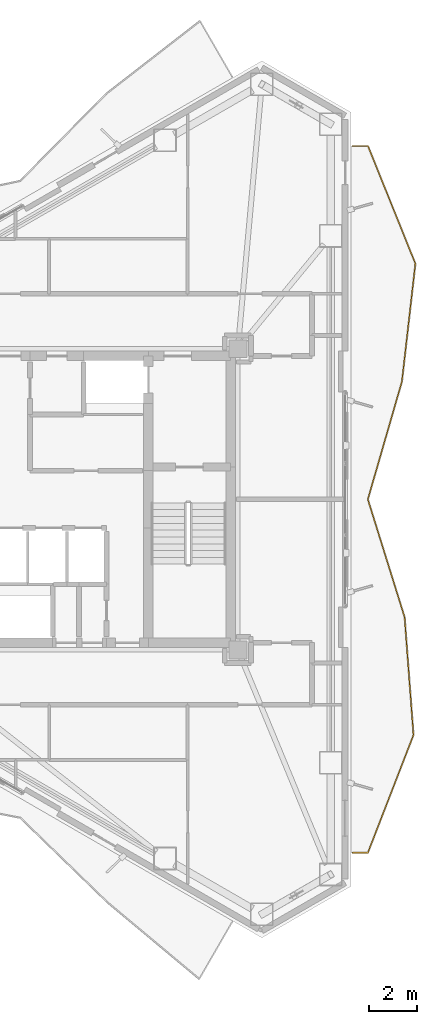
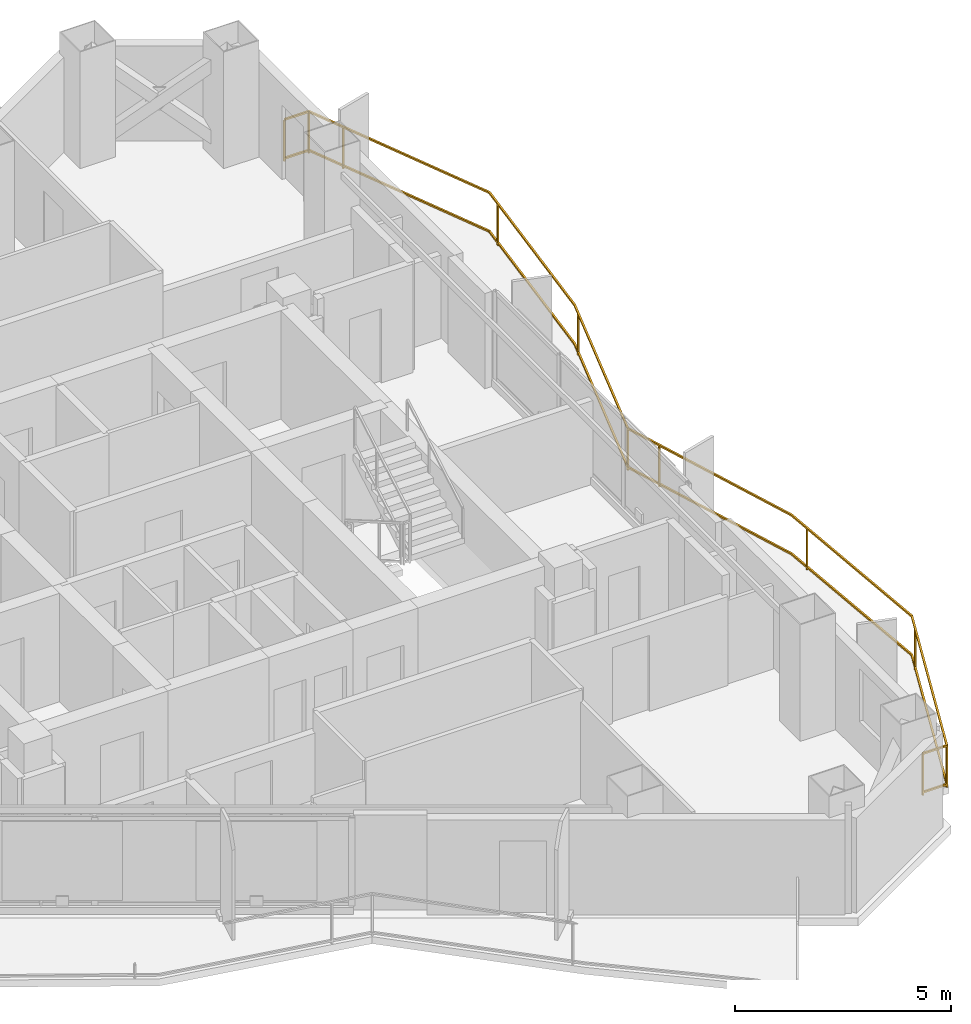
# One storey, part 22 of 22: 1 railing.
"""IFC4 building model written with IfcOpenShell, lengths in metres."""

from ifc_helpers import new_model, si_unit, direction, frame, origin, origin_2d, place, context, subcontext, project, spatial, rectangle, extrude, material, type_object, element, save


model = new_model("IFC4")

# Units and contexts
model_context = context("Model", 3, precision=1e-05, world=origin(), true_north=direction((0.0, 1.0)))
body_context = subcontext(model_context, "Body", "Model", "MODEL_VIEW")
ifc_project = project(units=[si_unit("LENGTHUNIT", "METRE"), si_unit("AREAUNIT", "SQUARE_METRE"), si_unit("VOLUMEUNIT", "CUBIC_METRE"), si_unit("PLANEANGLEUNIT", "RADIAN"), si_unit("MASSUNIT", "GRAM", prefix="KILO")], contexts=[model_context])

# Site, building, storey
site_placement = place(None, origin())
site = spatial("IfcSite", under=ifc_project, at=site_placement, CompositionType="ELEMENT")
building_placement = place(site_placement, origin())
building = spatial("IfcBuilding", under=site, at=building_placement, Name="Mersakhor Tower and Convention Hall", CompositionType="ELEMENT")
storey_placement = place(building_placement, frame((0.0, 0.0, 188.699951171875)))
storey = spatial("IfcBuildingStorey", under=building, at=storey_placement, Name="L52", CompositionType="ELEMENT", Elevation=188.699951171875)

# Railing
ifc_material = material(Name="Powder-coated galvanised steel and laminated glass balustrade", Category="steel")
railing_type = type_object("IfcRailingType", Name="RL-BAL-1200", PredefinedType="BALUSTRADE", material=ifc_material)
railing_placement = place(storey_placement, frame((40.888427734375, 11.957275390625, 0.0)))
element("IfcRailing", 1, at=railing_placement, inside=storey, type_object=railing_type, Name="L52 Sinusoidal Balcony Balustrade F2", PredefinedType="BALUSTRADE", context=body_context, shape_type="SweptSolid", body=[
    extrude(rectangle(XDim=0.048095703125, YDim=0.048095703125, at=origin_2d()), frame((0.0, 0.0, 1.17578125), z_axis=(1.0, 0.0, 0.0), x_axis=(0.0, 1.0, 0.0)), (0.0, 0.0, 1.0), 0.64990234375),
    extrude(rectangle(XDim=0.048095703125, YDim=0.048095703125, at=origin_2d()), frame((0.0, 0.0, 0.080078125), z_axis=(1.0, 0.0, 0.0), x_axis=(0.0, 1.0, 0.0)), (0.0, 0.0, 1.0), 0.64990234375),
    extrude(rectangle(XDim=0.048095703125, YDim=0.048095703125, at=origin_2d()), frame((0.64990234375, 0.0, 1.17578125), z_axis=(0.361146941413, 0.932508920444, 0.0), x_axis=(-0.932508920444, 0.361146941413, 0.0)), (0.0, 0.0, 1.0), 5.287841796875),
    extrude(rectangle(XDim=0.048095703125, YDim=0.048095703125, at=origin_2d()), frame((0.64990234375, 0.0, 0.080078125), z_axis=(0.361146941413, 0.932508920444, 0.0), x_axis=(-0.932508920444, 0.361146941413, 0.0)), (0.0, 0.0, 1.0), 5.287841796875),
    extrude(rectangle(XDim=0.048095703125, YDim=0.048095703125, at=origin_2d()), frame((2.5595703125, 4.930908203125, 1.17578125), z_axis=(-0.075144663186, 0.997172642823, 0.0), x_axis=(-0.997172642823, -0.075144663186, 0.0)), (0.0, 0.0, 1.0), 4.94482421875),
    extrude(rectangle(XDim=0.048095703125, YDim=0.048095703125, at=origin_2d()), frame((2.5595703125, 4.930908203125, 0.080078125), z_axis=(-0.075144663186, 0.997172642823, 0.0), x_axis=(-0.997172642823, -0.075144663186, 0.0)), (0.0, 0.0, 1.0), 4.94482421875),
    extrude(rectangle(XDim=0.048095703125, YDim=0.048095703125, at=origin_2d()), frame((2.18798828125, 9.86181640625, 1.17578125), z_axis=(-0.297777059488, 0.954635439758, 0.0), x_axis=(-0.954635439758, -0.297777059488, 0.0)), (0.0, 0.0, 1.0), 5.165283203125),
    extrude(rectangle(XDim=0.048095703125, YDim=0.048095703125, at=origin_2d()), frame((2.18798828125, 9.86181640625, 0.080078125), z_axis=(-0.297777059488, 0.954635439758, 0.0), x_axis=(-0.954635439758, -0.297777059488, 0.0)), (0.0, 0.0, 1.0), 5.165283203125),
    extrude(rectangle(XDim=0.048095703125, YDim=0.048095703125, at=origin_2d()), frame((0.64990234375, 14.792724609375, 1.17578125), z_axis=(0.277860587189, 0.960621410383, 0.0), x_axis=(-0.960621410383, 0.277860587189, 0.0)), (0.0, 0.0, 1.0), 5.133056640625),
    extrude(rectangle(XDim=0.048095703125, YDim=0.048095703125, at=origin_2d()), frame((0.64990234375, 14.792724609375, 0.080078125), z_axis=(0.277860587189, 0.960621410383, 0.0), x_axis=(-0.960621410383, 0.277860587189, 0.0)), (0.0, 0.0, 1.0), 5.133056640625),
    extrude(rectangle(XDim=0.048095703125, YDim=0.048095703125, at=origin_2d()), frame((2.076171875, 19.7236328125, 1.17578125), z_axis=(0.113535492199, 0.993533941046, 0.0), x_axis=(-0.993533941046, 0.113535492199, 0.0)), (0.0, 0.0, 1.0), 4.962890625),
    extrude(rectangle(XDim=0.048095703125, YDim=0.048095703125, at=origin_2d()), frame((2.076171875, 19.7236328125, 0.080078125), z_axis=(0.113535492199, 0.993533941046, 0.0), x_axis=(-0.993533941046, 0.113535492199, 0.0)), (0.0, 0.0, 1.0), 4.962890625),
    extrude(rectangle(XDim=0.048095703125, YDim=0.048095703125, at=origin_2d()), frame((2.6396484375, 24.654541015625, 1.17578125), z_axis=(-0.373851744481, 0.927488476019, 0.0), x_axis=(-0.927488476019, -0.373851744481, 0.0)), (0.0, 0.0, 1.0), 5.31640625),
    extrude(rectangle(XDim=0.048095703125, YDim=0.048095703125, at=origin_2d()), frame((2.6396484375, 24.654541015625, 0.080078125), z_axis=(-0.373851744481, 0.927488476019, 0.0), x_axis=(-0.927488476019, -0.373851744481, 0.0)), (0.0, 0.0, 1.0), 5.31640625),
    extrude(rectangle(XDim=0.048095703125, YDim=0.048095703125, at=origin_2d()), frame((0.652099609375, 29.58544921875, 1.17578125), z_axis=(-1.0, 0.0, 0.0), x_axis=(0.0, -1.0, 0.0)), (0.0, 0.0, 1.0), 0.652099609375),
    extrude(rectangle(XDim=0.048095703125, YDim=0.048095703125, at=origin_2d()), frame((0.652099609375, 29.58544921875, 0.080078125), z_axis=(-1.0, 0.0, 0.0), x_axis=(0.0, -1.0, 0.0)), (0.0, 0.0, 1.0), 0.652099609375),
    extrude(rectangle(XDim=0.0419921875, YDim=0.0419921875, at=origin_2d()), origin(), (0.0, 0.0, 1.0), 1.15185546875),
    extrude(rectangle(XDim=0.0419921875, YDim=0.0419921875, at=origin_2d()), frame((0.64990234375, 0.0, 0.0)), (0.0, 0.0, 1.0), 1.15185546875),
    extrude(rectangle(XDim=0.0419921875, YDim=0.0419921875, at=origin_2d()), frame((2.38330078125, 4.47607421875, 0.0)), (0.0, 0.0, 1.0), 1.15185546875),
    extrude(rectangle(XDim=0.0419921875, YDim=0.0419921875, at=origin_2d()), frame((2.235595703125, 9.23095703125, 0.0)), (0.0, 0.0, 1.0), 1.15185546875),
    extrude(rectangle(XDim=0.0419921875, YDim=0.0419921875, at=origin_2d()), frame((0.947021484375, 13.840087890625, 0.0)), (0.0, 0.0, 1.0), 1.15185546875),
    extrude(rectangle(XDim=0.0419921875, YDim=0.0419921875, at=origin_2d()), frame((0.64990234375, 14.792724609375, 0.0)), (0.0, 0.0, 1.0), 1.15185546875),
    extrude(rectangle(XDim=0.0419921875, YDim=0.0419921875, at=origin_2d()), frame((1.983642578125, 19.40380859375, 0.0)), (0.0, 0.0, 1.0), 1.15185546875),
    extrude(rectangle(XDim=0.0419921875, YDim=0.0419921875, at=origin_2d()), frame((2.583251953125, 24.16162109375, 0.0)), (0.0, 0.0, 1.0), 1.15185546875),
    extrude(rectangle(XDim=0.0419921875, YDim=0.0419921875, at=origin_2d()), frame((1.030517578125, 28.646484375, 0.0)), (0.0, 0.0, 1.0), 1.15185546875),
    extrude(rectangle(XDim=0.0419921875, YDim=0.0419921875, at=origin_2d()), frame((0.652099609375, 29.58544921875, 0.0)), (0.0, 0.0, 1.0), 1.15185546875),
    extrude(rectangle(XDim=0.0419921875, YDim=0.0419921875, at=origin_2d()), frame((0.0, 29.58544921875, 0.0)), (0.0, 0.0, 1.0), 1.15185546875),
])

save(model, "model.ifc")
